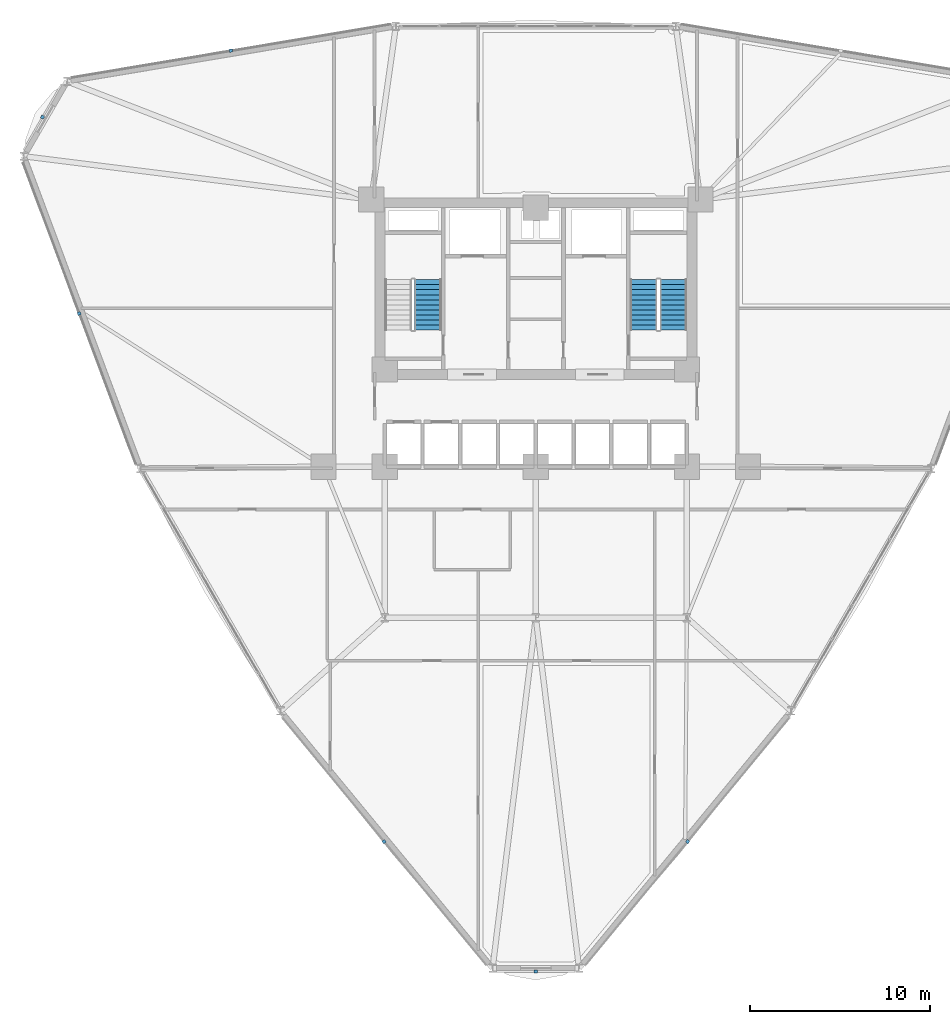
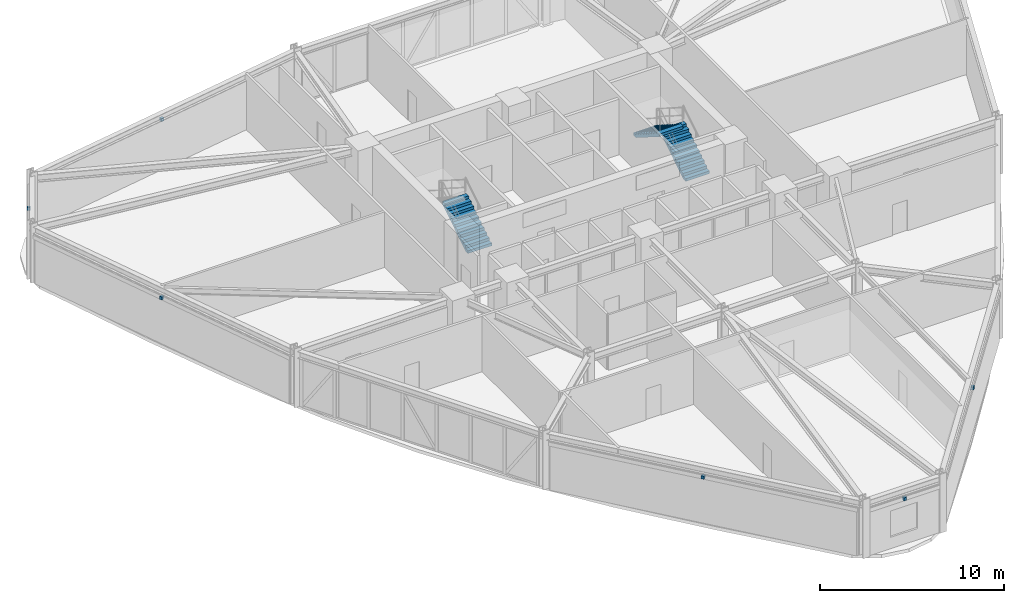
# One storey, part 18 of 22: 6 discrete accessories, 3 stair flights, 2 elements without a shape of their own.
"""IFC4 building model written with IfcOpenShell, lengths in metres."""

from ifc_helpers import new_model, si_unit, derived_unit, direction, frame, origin, origin_2d, place, context, subcontext, project, spatial, polyline, rectangle, outline, extrude, source, transform, mapped, material, type_object, element, aggregate, save


model = new_model("IFC4")

# Units and contexts
model_context = context("Model", 3, precision=1e-05, world=origin(), true_north=direction((0.0, 1.0)))
body_context = subcontext(model_context, "Body", "Model", "MODEL_VIEW")
ifc_project = project(units=[si_unit("LENGTHUNIT", "METRE"), si_unit("AREAUNIT", "SQUARE_METRE"), si_unit("VOLUMEUNIT", "CUBIC_METRE"), si_unit("PLANEANGLEUNIT", "RADIAN"), si_unit("MASSUNIT", "GRAM", prefix="KILO"), derived_unit("THERMALTRANSMITTANCEUNIT", [(si_unit("POWERUNIT", "WATT"), 1), (si_unit("LENGTHUNIT", "METRE"), -2), (si_unit("THERMODYNAMICTEMPERATUREUNIT", "KELVIN"), -1)])], contexts=[model_context])

# Site, building, storey
site_placement = place(None, origin())
site = spatial("IfcSite", under=ifc_project, at=site_placement, CompositionType="ELEMENT")
building_placement = place(site_placement, origin())
building = spatial("IfcBuilding", under=site, at=building_placement, Name="Korsvarv Bourse and Concert Hall", CompositionType="ELEMENT")
storey_placement = place(building_placement, frame((0.0, 0.0, 51.300048828125)))
storey = spatial("IfcBuildingStorey", under=building, at=storey_placement, Name="L12", CompositionType="ELEMENT", Elevation=51.300048828125)

# Stair, stair flight
ifc_material_1 = material(Name="Precast concrete C45/55", Category="concrete")
stair_type = type_object("IfcStairType", Name="STR-TYPE-03", PredefinedType="HALF_TURN_STAIR", material=ifc_material_1)
stair_1_placement = place(storey_placement, origin())
stair_1 = element("IfcStair", 1, at=stair_1_placement, inside=storey, type_object=stair_type, Name="L12 Tower West Exit Stair ST-T1", PredefinedType="HALF_TURN_STAIR")
stair_flight_type = type_object("IfcStairFlightType", Name="FLT-TYPE-03", PredefinedType="STRAIGHT", material=ifc_material_1)
stair_flight_1_placement = place(storey_placement, frame((30.010009765625, 40.0, 0.0), z_axis=(0.0, 0.0, 1.0), x_axis=(0.0, 1.0, 0.0)))
stair_flight_1 = element("IfcStairFlight", 2, at=stair_flight_1_placement, type_object=stair_flight_type, Name="ST-T1 flight 1", NumberOfRisers=11, NumberOfTreads=10, PredefinedType="STRAIGHT", RiserHeight=0.177272727, TreadLength=0.28, context=body_context, shape_type="SweptSolid", body=[
    extrude(outline(polyline([(0.0, 0.0), (0.0, 0.17724609375), (0.280029296875, 0.17724609375), (0.280029296875, 0.3544921875), (0.56005859375, 0.3544921875), (0.56005859375, 0.53173828125), (0.840087890625, 0.53173828125), (0.840087890625, 0.708984375), (1.1201171875, 0.708984375), (1.1201171875, 0.886474609375), (1.39990234375, 0.886474609375), (1.39990234375, 1.063720703125), (1.679931640625, 1.063720703125), (1.679931640625, 1.240966796875), (1.9599609375, 1.240966796875), (1.9599609375, 1.418212890625), (2.239990234375, 1.418212890625), (2.239990234375, 1.595458984375), (2.52001953125, 1.595458984375), (2.52001953125, 1.772705078125), (2.800048828125, 1.772705078125), (2.800048828125, 1.949951171875), (2.800048828125, 1.59521484375), (0.2802734375, 0.0), (0.0, 0.0)])), frame((0.0, 0.75, 0.0), z_axis=(0.0, -1.0, 0.0), x_axis=(1.0, 0.0, 0.0)), (0.0, 0.0, 1.0), 1.5),
])
aggregate(stair_1, [stair_flight_1])

# Stair, stair flights
stair_2_placement = place(storey_placement, origin())
stair_2 = element("IfcStair", 3, at=stair_2_placement, inside=storey, type_object=stair_type, Name="L12 Tower East Exit Stair ST-T2", PredefinedType="HALF_TURN_STAIR")
stair_flight_2_placement = place(storey_placement, frame((43.64990234375, 40.0, 0.0), z_axis=(0.0, 0.0, 1.0), x_axis=(0.0, 1.0, 0.0)))
stair_flight_2 = element("IfcStairFlight", 4, at=stair_flight_2_placement, type_object=stair_flight_type, Name="ST-T2 flight 1", NumberOfRisers=11, NumberOfTreads=10, PredefinedType="STRAIGHT", RiserHeight=0.177272727, TreadLength=0.28, context=body_context, shape_type="SweptSolid", body=[
    extrude(outline(polyline([(0.0, 0.0), (0.0, 0.17724609375), (0.280029296875, 0.17724609375), (0.280029296875, 0.3544921875), (0.56005859375, 0.3544921875), (0.56005859375, 0.53173828125), (0.840087890625, 0.53173828125), (0.840087890625, 0.708984375), (1.1201171875, 0.708984375), (1.1201171875, 0.886474609375), (1.39990234375, 0.886474609375), (1.39990234375, 1.063720703125), (1.679931640625, 1.063720703125), (1.679931640625, 1.240966796875), (1.9599609375, 1.240966796875), (1.9599609375, 1.418212890625), (2.239990234375, 1.418212890625), (2.239990234375, 1.595458984375), (2.52001953125, 1.595458984375), (2.52001953125, 1.772705078125), (2.800048828125, 1.772705078125), (2.800048828125, 1.949951171875), (2.800048828125, 1.59521484375), (0.2802734375, 0.0), (0.0, 0.0)])), frame((0.0, 0.75, 0.0), z_axis=(0.0, -1.0, 0.0), x_axis=(1.0, 0.0, 0.0)), (0.0, 0.0, 1.0), 1.5),
])
stair_flight_3_placement = place(storey_placement, frame((41.989990234375, 42.800048828125, 1.949951171875), z_axis=(0.0, 0.0, 1.0), x_axis=(0.0, -1.0, 0.0)))
stair_flight_3 = element("IfcStairFlight", 5, at=stair_flight_3_placement, type_object=stair_flight_type, Name="ST-T2 flight 2", NumberOfRisers=11, NumberOfTreads=10, PredefinedType="STRAIGHT", RiserHeight=0.177272727, TreadLength=0.28, context=body_context, shape_type="SweptSolid", body=[
    extrude(outline(polyline([(0.0, 0.0), (0.0, 0.17724609375), (0.280029296875, 0.17724609375), (0.280029296875, 0.3544921875), (0.56005859375, 0.3544921875), (0.56005859375, 0.53173828125), (0.840087890625, 0.53173828125), (0.840087890625, 0.708984375), (1.1201171875, 0.708984375), (1.1201171875, 0.886474609375), (1.39990234375, 0.886474609375), (1.39990234375, 1.063720703125), (1.679931640625, 1.063720703125), (1.679931640625, 1.240966796875), (1.9599609375, 1.240966796875), (1.9599609375, 1.418212890625), (2.239990234375, 1.418212890625), (2.239990234375, 1.595458984375), (2.52001953125, 1.595458984375), (2.52001953125, 1.772705078125), (2.800048828125, 1.772705078125), (2.800048828125, 1.949951171875), (2.800048828125, 1.59521484375), (0.2802734375, 0.0), (0.0, 0.0)])), frame((0.0, 0.75, 0.0), z_axis=(0.0, -1.0, 0.0), x_axis=(1.0, 0.0, 0.0)), (0.0, 0.0, 1.0), 1.5),
])
aggregate(stair_2, [stair_flight_2, stair_flight_3])

# Discrete accessories
ifc_material_2 = material(Name="Stainless Steel S355 facade outrigger bracket", Category="steel")
discrete_accessory_type = type_object("IfcDiscreteAccessoryType", Name="ACC-BRK-1", PredefinedType="BRACKET", material=ifc_material_2)
shared_shape = source(origin(), body_context, "Body", "SweptSolid", [
    extrude(rectangle(XDim=0.179931640625, YDim=0.179931640625, at=origin_2d()), origin(), (0.0, 0.0, 1.0), 0.199951171875),
])
for number, where, z_axis, x_axis, name in (
    (6, (19.043212890625, 55.53662109375, 2.97021484375), (0.0, 0.0, 1.0), (-0.986285601537, -0.165047605861, 0.0), "L12 terracotta sunshade bracket EW-L12-B04"),
    (7, (8.563720703125, 51.840576171875, 2.97021484375), (0.0, 0.0, 1.0), (-0.5, -0.866025403784, 0.0), "L12 terracotta sunshade bracket EW-L12-B05"),
    (8, (10.6025390625, 40.916748046875, 2.97021484375), (0.0, 0.0, 1.0), (0.350207381259, -0.936672189248, 0.0), "L12 terracotta sunshade bracket EW-L12-B06"),
    (9, (27.55908203125, 11.546875, 2.97021484375), (0.0, 0.0, 1.0), (0.636078220278, -0.771624583388, 0.0), "L12 terracotta sunshade bracket EW-L12-B08"),
    (10, (36.0, 4.319091796875, 2.97021484375), (0.0, 0.0, 1.0), (1.0, 0.0, 0.0), "L12 terracotta sunshade bracket EW-L12-B09"),
    (11, (44.44091796875, 11.546875, 2.97021484375), (0.0, 0.0, 1.0), (0.636078220278, 0.771624583388, 0.0), "L12 terracotta sunshade bracket EW-L12-B10"),
):
    element("IfcDiscreteAccessory", number, at=place(storey_placement, frame(where, z_axis=z_axis, x_axis=x_axis)), inside=storey, type_object=discrete_accessory_type, Name=name, PredefinedType="BRACKET", context=body_context, shape_type="MappedRepresentation", body=[
        mapped(shared_shape, transform((0.0, 0.0, 0.0), scale=1.0)),
    ])

save(model, "model.ifc")
